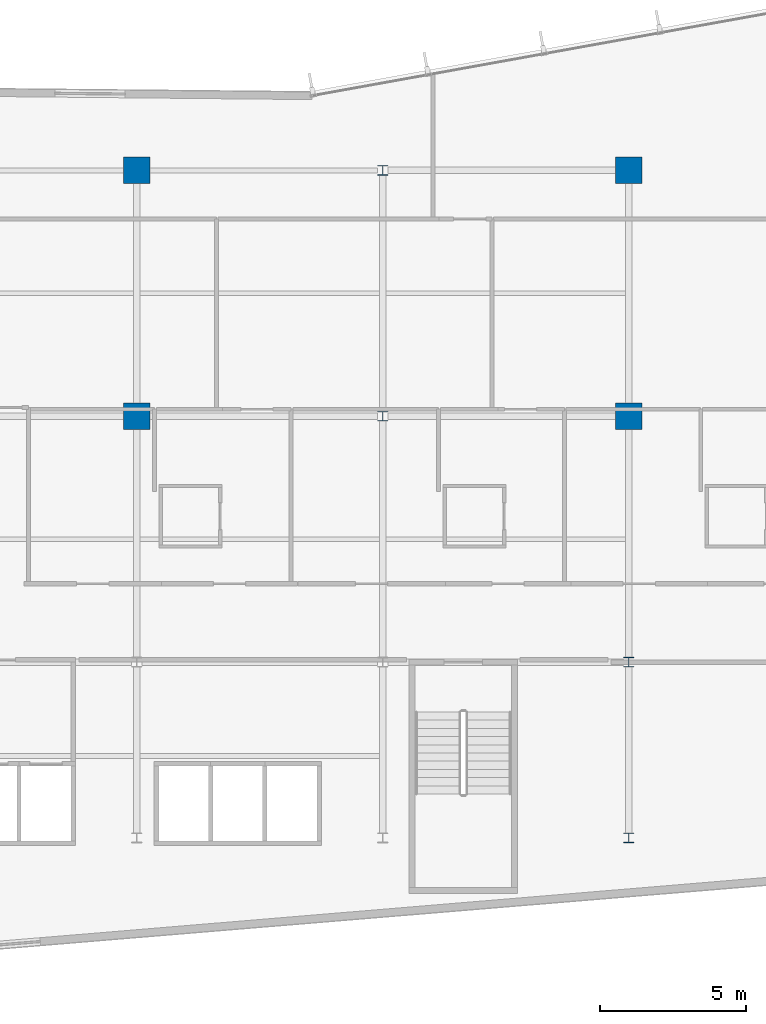
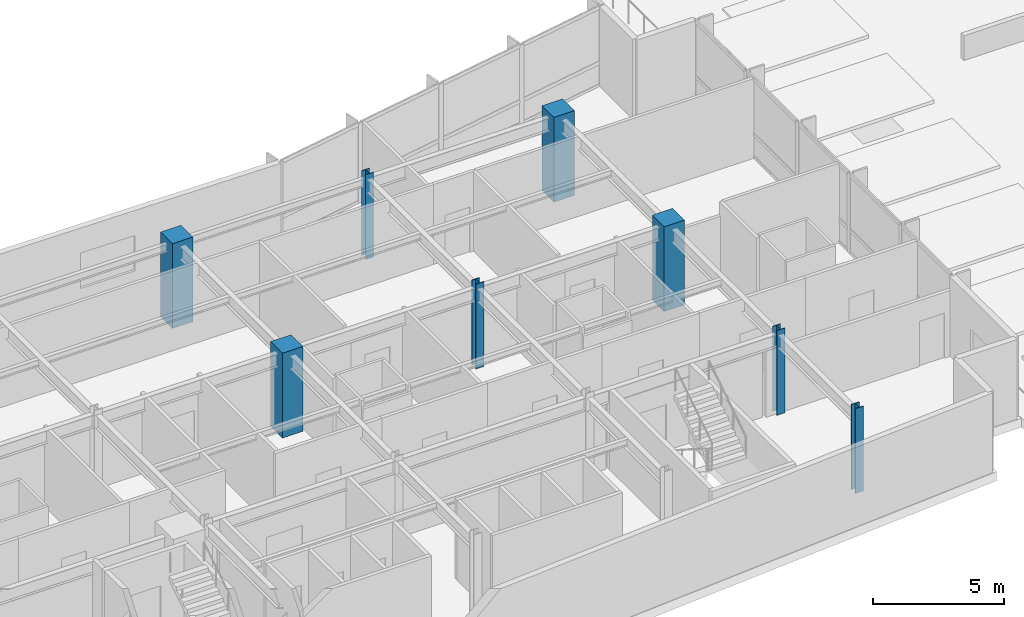
# One storey, part 2 of 20: 8 columns.
"""IFC4 building model written with IfcOpenShell, lengths in metres."""

from ifc_helpers import new_model, si_unit, direction, frame, origin, origin_2d, place, context, subcontext, project, spatial, rectangle, i_section, extrude, material, material_profile, profile_set, type_object, element, save


model = new_model("IFC4")

# Units and contexts
model_context = context("Model", 3, precision=1e-05, world=origin(), true_north=direction((0.0, 1.0)))
body_context = subcontext(model_context, "Body", "Model", "MODEL_VIEW")
ifc_project = project(units=[si_unit("LENGTHUNIT", "METRE"), si_unit("AREAUNIT", "SQUARE_METRE"), si_unit("VOLUMEUNIT", "CUBIC_METRE"), si_unit("PLANEANGLEUNIT", "RADIAN"), si_unit("MASSUNIT", "GRAM", prefix="KILO")], contexts=[model_context])

# Site, building, storey
site_placement = place(None, origin())
site = spatial("IfcSite", under=ifc_project, at=site_placement, CompositionType="ELEMENT")
building_placement = place(site_placement, origin())
building = spatial("IfcBuilding", under=site, at=building_placement, Name="Varnakote Quay Hospital", CompositionType="ELEMENT")
storey_placement = place(building_placement, frame((0.0, 0.0, 22.5)))
storey = spatial("IfcBuildingStorey", under=building, at=storey_placement, Name="L05", CompositionType="ELEMENT", Elevation=22.5)

# Columns
ifc_material_1 = material(Name="Concrete N50 (f'c 50 MPa)", Category="concrete")
ifc_material_profile_1 = material_profile(ifc_material_1, rectangle(XDim=0.89990234375, YDim=0.89990234375, at=origin_2d()), Name="RC-COL-900x900")
ifc_profile_set_1 = profile_set([ifc_material_profile_1], Name="Concrete N50 (f'c 50 MPa)")
column_type_1 = type_object("IfcColumnType", Name="COL-RC-900", PredefinedType="COLUMN", material=ifc_profile_set_1)
for number, where, z_axis, x_axis, name in (
    (1, (33.60009765625, 20.39990234375, 0.0), (0.0, 0.0, 1.0), (1.0, 0.0, 0.0), "L05 Structural Column C-34-20"),
    (2, (50.39990234375, 20.39990234375, 0.0), (0.0, 0.0, 1.0), (1.0, 0.0, 0.0), "L05 Structural Column C-50-20"),
    (3, (33.60009765625, 28.800048828125, 0.0), (0.0, 0.0, 1.0), (1.0, 0.0, 0.0), "L05 Structural Column C-34-29"),
    (4, (50.39990234375, 28.800048828125, 0.0), (0.0, 0.0, 1.0), (1.0, 0.0, 0.0), "L05 Structural Column C-50-29"),
):
    element("IfcColumn", number, at=place(storey_placement, frame(where, z_axis=z_axis, x_axis=x_axis)), inside=storey, type_object=column_type_1, Name=name, PredefinedType="COLUMN", context=body_context, shape_type="SweptSolid", body=[
        extrude(rectangle(XDim=0.89990234375, YDim=0.89990234375, at=origin_2d()), origin(), (0.0, 0.0, 1.0), 3.949951171875),
    ])
ifc_material_2 = material(Name="Structural steel AS/NZS 3678 Grade 350 (fy 340 MPa)", Category="steel")
ifc_material_profile_2 = material_profile(ifc_material_2, i_section(OverallWidth=0.35009765625, OverallDepth=0.340087890625, WebThickness=0.01611328125, FlangeThickness=0.028076171875, at=origin_2d()), Name="350WC197")
ifc_profile_set_2 = profile_set([ifc_material_profile_2], Name="Structural steel AS/NZS 3678 Grade 350 (fy 340 MPa)")
column_type_2 = type_object("IfcColumnType", Name="COL-STL-350WC197", PredefinedType="COLUMN", material=ifc_profile_set_2)
for number, where, z_axis, x_axis, name in (
    (5, (50.39990234375, 6.0, 0.0), (0.0, 0.0, 1.0), (1.0, 0.0, 0.0), "L05 Structural Column C-50-6"),
    (6, (50.39990234375, 12.0, 0.0), (0.0, 0.0, 1.0), (1.0, 0.0, 0.0), "L05 Structural Column C-50-12"),
    (7, (42.0, 20.39990234375, 0.0), (0.0, 0.0, 1.0), (1.0, 0.0, 0.0), "L05 Structural Column C-42-20"),
    (8, (42.0, 28.800048828125, 0.0), (0.0, 0.0, 1.0), (1.0, 0.0, 0.0), "L05 Structural Column C-42-29"),
):
    element("IfcColumn", number, at=place(storey_placement, frame(where, z_axis=z_axis, x_axis=x_axis)), inside=storey, type_object=column_type_2, Name=name, PredefinedType="COLUMN", context=body_context, shape_type="SweptSolid", body=[
        extrude(i_section(OverallWidth=0.35009765625, OverallDepth=0.340087890625, WebThickness=0.01611328125, FlangeThickness=0.028076171875, at=origin_2d()), origin(), (0.0, 0.0, 1.0), 3.949951171875),
    ])

save(model, "model.ifc")
